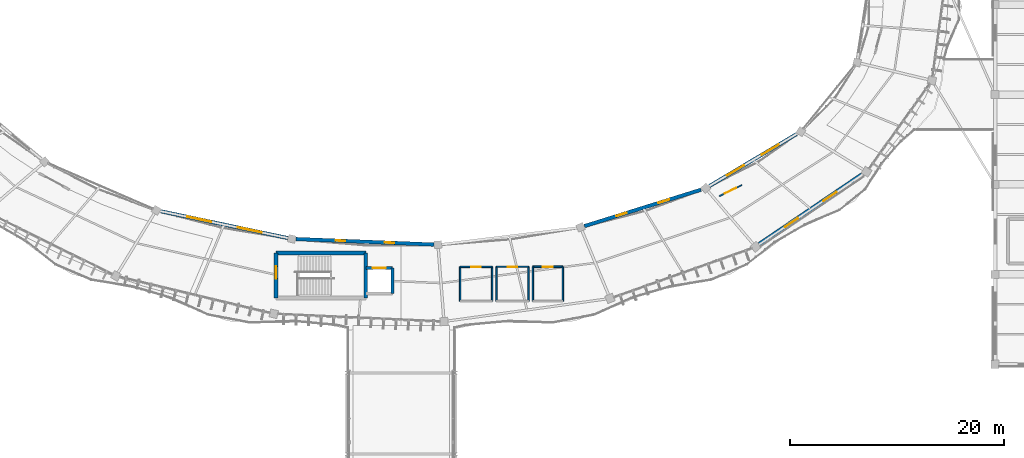
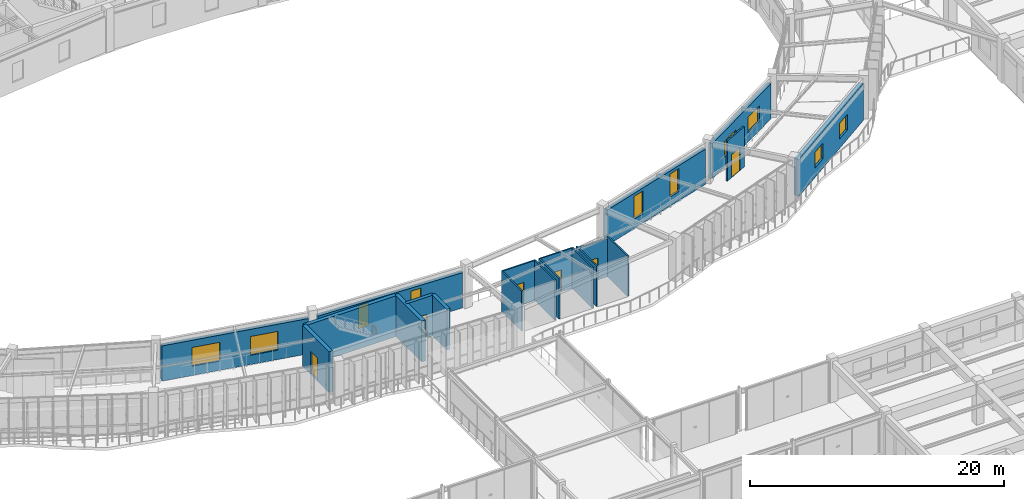
# One storey, part 124 of 152: 20 walls, 10 windows, 6 doors, 16 openings.
"""IFC4 building model written with IfcOpenShell, lengths in metres."""

from ifc_helpers import new_model, si_unit, direction, frame, frame_2d, origin, place, context, subcontext, project, spatial, rectangle, extrude, material, layer, layer_set, type_object, element, fill, save


model = new_model("IFC4")

# Units and contexts
model_context = context("Model", 3, precision=1e-05, world=origin(), true_north=direction((0.0, 1.0)))
body_context = subcontext(model_context, "Body", "Model", "MODEL_VIEW")
ifc_project = project(units=[si_unit("LENGTHUNIT", "METRE"), si_unit("AREAUNIT", "SQUARE_METRE"), si_unit("VOLUMEUNIT", "CUBIC_METRE"), si_unit("PLANEANGLEUNIT", "RADIAN"), si_unit("MASSUNIT", "GRAM", prefix="KILO"), si_unit("THERMODYNAMICTEMPERATUREUNIT", "KELVIN"), si_unit("POWERUNIT", "WATT")], contexts=[model_context])

# Site, building, storey
site_placement = place(None, origin())
site = spatial("IfcSite", under=ifc_project, at=site_placement, CompositionType="ELEMENT")
building_placement = place(site_placement, origin())
building = spatial("IfcBuilding", under=site, at=building_placement, Name="Darbajah Civic Hall", CompositionType="ELEMENT")
storey_placement = place(building_placement, frame((0.0, 0.0, 5.39990234375)))
storey = spatial("IfcBuildingStorey", under=building, at=storey_placement, Name="L01", CompositionType="ELEMENT", Elevation=5.39990234375)

# Wall, opening, door
ifc_material_1 = material(Name="Concrete C45/55", Category="concrete")
ifc_layer_1 = layer(ifc_material_1, 0.300048828125, Name="Concrete C45/55")
ifc_layer_set_1 = layer_set([ifc_layer_1], Name="Concrete C45/55")
wall_type_1 = type_object("IfcWallType", Name="Core Shear Wall 300mm", PredefinedType="SHEAR", material=ifc_layer_set_1)
wall_1_placement = place(storey_placement, frame((88.300048828125, 65.39990234375, 0.0), z_axis=(0.0, 0.0, 1.0), x_axis=(-1.0, 0.0, 0.0)))
wall_1 = element("IfcWall", 1, at=wall_1_placement, inside=storey, type_object=wall_type_1, Name="L01 lift PL1 shaft wall N", PredefinedType="SHEAR", context=body_context, shape_type="SweptSolid", body=[
    extrude(rectangle(XDim=2.5, YDim=0.300048828125, at=frame_2d((1.25, 0.0))), origin(), (0.0, 0.0, 1.0), 3.920166015625),
])
opening_1_placement = place(wall_1_placement, frame((0.64990234375, 0.0, 0.0)))
opening_1 = element("IfcOpeningElement", 2, at=opening_1_placement, cuts=wall_1, Name="Opening LD-0051", PredefinedType="OPENING", context=body_context, shape_type="SweptSolid", body=[
    extrude(rectangle(XDim=1.199951171875, YDim=2.25, at=frame_2d((0.60009765625, 1.125))), frame((0.0, 0.159912109375, 0.0), z_axis=(0.0, -1.0, 0.0), x_axis=(1.0, 0.0, 0.0)), (0.0, 0.0, 1.0), 0.320068359375),
])
ifc_material_2 = material(Name="Stainless Lift Landing Door")
door_type_1 = type_object("IfcDoorType", Name="Lift Landing Door 1200x2250", OperationType="SLIDING_TO_LEFT", PredefinedType="DOOR", material=ifc_material_2)
door_1_placement = place(opening_1_placement, origin())
door_1 = element("IfcDoor", 3, at=door_1_placement, inside=storey, type_object=door_type_1, Name="L01 lift PL1 landing door LD-0051", OperationType="SLIDING_TO_LEFT", OverallHeight=2.25, OverallWidth=1.199951171875, PredefinedType="DOOR", context=body_context, shape_type="SweptSolid", body=[
    extrude(rectangle(XDim=1.199951171875, YDim=2.25, at=frame_2d((0.60009765625, 1.125))), frame((0.0, 0.02490234375, 0.0), z_axis=(0.0, -1.0, 0.0), x_axis=(1.0, 0.0, 0.0)), (0.0, 0.0, 1.0), 0.050048828125),
])
fill(opening_1, door_1)

# Walls
wall_2_placement = place(storey_placement, frame((88.300048828125, 63.0, 0.0), z_axis=(0.0, 0.0, 1.0), x_axis=(0.0, 1.0, 0.0)))
element("IfcWall", 4, at=wall_2_placement, inside=storey, type_object=wall_type_1, Name="L01 lift PL1 shaft wall E", PredefinedType="SHEAR", context=body_context, shape_type="SweptSolid", body=[
    extrude(rectangle(XDim=2.39990234375, YDim=0.300048828125, at=frame_2d((1.199951171875, 0.0))), origin(), (0.0, 0.0, 1.0), 3.920166015625),
])
ifc_material_3 = material(Name="Concrete C50/60", Category="concrete")
ifc_layer_2 = layer(ifc_material_3, 0.35009765625, Name="Concrete C50/60")
ifc_layer_set_2 = layer_set([ifc_layer_2], Name="Concrete C50/60")
wall_type_2 = type_object("IfcWallType", Name="Core Shear Wall 350mm", PredefinedType="SHEAR", material=ifc_layer_set_2)
wall_3_placement = place(storey_placement, frame((85.800048828125, 62.60009765625, 0.0), z_axis=(0.0, 0.0, 1.0), x_axis=(0.0, 1.0, 0.0)))
element("IfcWall", 5, at=wall_3_placement, inside=storey, type_object=wall_type_2, Name="L01 core C03 shear wall E", PredefinedType="SHEAR", context=body_context, shape_type="SweptSolid", body=[
    extrude(rectangle(XDim=4.199951171875, YDim=0.35009765625, at=frame_2d((2.10009765625, 0.0))), origin(), (0.0, 0.0, 1.0), 3.920166015625),
])
wall_4_placement = place(storey_placement, frame((85.800048828125, 66.800048828125, 0.0), z_axis=(0.0, 0.0, 1.0), x_axis=(-1.0, 0.0, 0.0)))
element("IfcWall", 6, at=wall_4_placement, inside=storey, type_object=wall_type_2, Name="L01 core C03 shear wall N", PredefinedType="SHEAR", context=body_context, shape_type="SweptSolid", body=[
    extrude(rectangle(XDim=8.400146484375, YDim=0.35009765625, at=frame_2d((4.2001953125, 0.0))), origin(), (0.0, 0.0, 1.0), 3.920166015625),
])

# Wall, opening, door
wall_5_placement = place(storey_placement, frame((77.39990234375, 66.800048828125, 0.0), z_axis=(0.0, 0.0, 1.0), x_axis=(0.0, -1.0, 0.0)))
wall_5 = element("IfcWall", 7, at=wall_5_placement, inside=storey, type_object=wall_type_2, Name="L01 core C03 shear wall W", PredefinedType="SHEAR", context=body_context, shape_type="SweptSolid", body=[
    extrude(rectangle(XDim=4.199951171875, YDim=0.35009765625, at=frame_2d((2.10009765625, 0.0))), origin(), (0.0, 0.0, 1.0), 3.920166015625),
])
opening_2_placement = place(wall_5_placement, frame((1.25, 0.0, 0.0)))
opening_2 = element("IfcOpeningElement", 8, at=opening_2_placement, cuts=wall_5, Name="Opening SD-0044", PredefinedType="OPENING", context=body_context, shape_type="SweptSolid", body=[
    extrude(rectangle(XDim=1.14990234375, YDim=2.199951171875, at=frame_2d((0.574951171875, 1.10009765625))), frame((0.0, 0.18505859375, 0.0), z_axis=(0.0, -1.0, 0.0), x_axis=(1.0, 0.0, 0.0)), (0.0, 0.0, 1.0), 0.3701171875),
])
ifc_material_4 = material(Name="Steel Rated Core Door", Category="steel")
door_type_2 = type_object("IfcDoorType", Name="Interior Door 1150x2200", OperationType="NOTDEFINED", PredefinedType="DOOR", material=ifc_material_4)
door_2_placement = place(opening_2_placement, origin())
door_2 = element("IfcDoor", 9, at=door_2_placement, inside=storey, type_object=door_type_2, Name="L01 stair ST03 fire door SD-0044", OperationType="SINGLE_SWING_LEFT", OverallHeight=2.199951171875, OverallWidth=1.14990234375, PredefinedType="DOOR", context=body_context, shape_type="SweptSolid", body=[
    extrude(rectangle(XDim=1.14990234375, YDim=2.199951171875, at=frame_2d((0.574951171875, 1.10009765625))), frame((0.0, 0.02490234375, 0.0), z_axis=(0.0, -1.0, 0.0), x_axis=(1.0, 0.0, 0.0)), (0.0, 0.0, 1.0), 0.050048828125),
])
fill(opening_2, door_2)

# Wall, openings, windows
ifc_material_5 = material(Name="Qatari Desert Limestone Ashlar", Category="masonry")
ifc_layer_3 = layer(ifc_material_5, 0.340087890625, Name="Qatari Desert Limestone Ashlar")
ifc_layer_set_3 = layer_set([ifc_layer_3], Name="Qatari Desert Limestone Ashlar")
wall_type_3 = type_object("IfcWallType", Name="Exterior Wall 340mm", PredefinedType="SOLIDWALL", material=ifc_layer_set_3)
wall_6_placement = place(storey_placement, frame((66.654052734375, 70.693359375, 0.0), z_axis=(0.0, 0.0, 1.0), x_axis=(0.978481812887, -0.20633308472, 0.0)))
wall_6 = element("IfcWall", 10, at=wall_6_placement, inside=storey, type_object=wall_type_3, Name="L01 exterior wall EW-340", PredefinedType="SOLIDWALL", context=body_context, shape_type="SweptSolid", body=[
    extrude(rectangle(XDim=12.128173828125, YDim=0.340087890625, at=frame_2d((6.06396484375, 0.0))), origin(), (0.0, 0.0, 1.0), 3.386962890625),
])
opening_3_placement = place(wall_6_placement, frame((2.509521484375, 0.0, 0.89990234375)))
opening_3 = element("IfcOpeningElement", 11, at=opening_3_placement, cuts=wall_6, Name="Opening WN-22", PredefinedType="OPENING", context=body_context, shape_type="SweptSolid", body=[
    extrude(rectangle(XDim=2.300048828125, YDim=1.800048828125, at=frame_2d((1.14990234375, 0.89990234375))), frame((0.0, 0.179931640625, 0.0), z_axis=(0.0, -1.0, 0.0), x_axis=(1.0, 0.0, 0.0)), (0.0, 0.0, 1.0), 0.360107421875),
])
opening_4_placement = place(wall_6_placement, frame((7.31884765625, 0.0, 0.89990234375)))
opening_4 = element("IfcOpeningElement", 12, at=opening_4_placement, cuts=wall_6, Name="Opening WN-22", PredefinedType="OPENING", context=body_context, shape_type="SweptSolid", body=[
    extrude(rectangle(XDim=2.300048828125, YDim=1.800048828125, at=frame_2d((1.14990234375, 0.89990234375))), frame((0.0, 0.179931640625, 0.0), z_axis=(0.0, -1.0, 0.0), x_axis=(1.0, 0.0, 0.0)), (0.0, 0.0, 1.0), 0.360107421875),
])
ifc_material_6 = material(Name="Low-E Solar Control Double Glazing", Category="glass")
window_type_1 = type_object("IfcWindowType", Name="Facade Window 2300x1800", PartitioningType="DOUBLE_PANEL_VERTICAL", PredefinedType="WINDOW", material=ifc_material_6)
window_1_placement = place(opening_3_placement, origin())
window_1 = element("IfcWindow", 13, at=window_1_placement, inside=storey, type_object=window_type_1, Name="L01 facade window WN-22", OverallHeight=1.800048828125, OverallWidth=2.300048828125, PartitioningType="SINGLE_PANEL", PredefinedType="WINDOW", context=body_context, shape_type="SweptSolid", body=[
    extrude(rectangle(XDim=2.300048828125, YDim=1.800048828125, at=frame_2d((1.14990234375, 0.89990234375))), frame((0.0, 0.030029296875, 0.0), z_axis=(0.0, -1.0, 0.0), x_axis=(1.0, 0.0, 0.0)), (0.0, 0.0, 1.0), 0.06005859375),
])
fill(opening_3, window_1)
window_2_placement = place(opening_4_placement, origin())
window_2 = element("IfcWindow", 14, at=window_2_placement, inside=storey, type_object=window_type_1, Name="L01 facade window WN-22", OverallHeight=1.800048828125, OverallWidth=2.300048828125, PartitioningType="SINGLE_PANEL", PredefinedType="WINDOW", context=body_context, shape_type="SweptSolid", body=[
    extrude(rectangle(XDim=2.300048828125, YDim=1.800048828125, at=frame_2d((1.14990234375, 0.89990234375))), frame((0.0, 0.030029296875, 0.0), z_axis=(0.0, -1.0, 0.0), x_axis=(1.0, 0.0, 0.0)), (0.0, 0.0, 1.0), 0.06005859375),
])
fill(opening_4, window_2)

wall_7_placement = place(storey_placement, frame((79.2880859375, 68.099609375, 0.0), z_axis=(0.0, 0.0, 1.0), x_axis=(0.999198380478, -0.040032442472, 0.0)))
wall_7 = element("IfcWall", 15, at=wall_7_placement, inside=storey, type_object=wall_type_3, Name="L01 exterior wall EW-340", PredefinedType="SOLIDWALL", context=body_context, shape_type="SweptSolid", body=[
    extrude(rectangle(XDim=12.867919921875, YDim=0.340087890625, at=frame_2d((6.43408203125, 0.0))), origin(), (0.0, 0.0, 1.0), 3.386962890625),
])
opening_5_placement = place(wall_7_placement, frame((3.689208984375, 0.0, 0.89990234375)))
opening_5 = element("IfcOpeningElement", 16, at=opening_5_placement, cuts=wall_7, Name="Opening WN-23", PredefinedType="OPENING", context=body_context, shape_type="SweptSolid", body=[
    extrude(rectangle(XDim=0.89990234375, YDim=2.199951171875, at=frame_2d((0.449951171875, 1.10009765625))), frame((0.0, 0.179931640625, 0.0), z_axis=(0.0, -1.0, 0.0), x_axis=(1.0, 0.0, 0.0)), (0.0, 0.0, 1.0), 0.360107421875),
])
opening_6_placement = place(wall_7_placement, frame((8.27880859375, 0.0, 0.89990234375)))
opening_6 = element("IfcOpeningElement", 17, at=opening_6_placement, cuts=wall_7, Name="Opening WN-23", PredefinedType="OPENING", context=body_context, shape_type="SweptSolid", body=[
    extrude(rectangle(XDim=0.89990234375, YDim=2.199951171875, at=frame_2d((0.449951171875, 1.10009765625))), frame((0.0, 0.179931640625, 0.0), z_axis=(0.0, -1.0, 0.0), x_axis=(1.0, 0.0, 0.0)), (0.0, 0.0, 1.0), 0.360107421875),
])
window_type_2 = type_object("IfcWindowType", Name="Facade Window 900x2200", PartitioningType="SINGLE_PANEL", PredefinedType="WINDOW", material=ifc_material_6)
window_3_placement = place(opening_5_placement, origin())
window_3 = element("IfcWindow", 18, at=window_3_placement, inside=storey, type_object=window_type_2, Name="L01 facade window WN-23", OverallHeight=2.199951171875, OverallWidth=0.89990234375, PartitioningType="SINGLE_PANEL", PredefinedType="WINDOW", context=body_context, shape_type="SweptSolid", body=[
    extrude(rectangle(XDim=0.89990234375, YDim=2.199951171875, at=frame_2d((0.449951171875, 1.10009765625))), frame((0.0, 0.030029296875, 0.0), z_axis=(0.0, -1.0, 0.0), x_axis=(1.0, 0.0, 0.0)), (0.0, 0.0, 1.0), 0.06005859375),
])
fill(opening_5, window_3)
window_4_placement = place(opening_6_placement, origin())
window_4 = element("IfcWindow", 19, at=window_4_placement, inside=storey, type_object=window_type_2, Name="L01 facade window WN-23", OverallHeight=2.199951171875, OverallWidth=0.89990234375, PartitioningType="SINGLE_PANEL", PredefinedType="WINDOW", context=body_context, shape_type="SweptSolid", body=[
    extrude(rectangle(XDim=0.89990234375, YDim=2.199951171875, at=frame_2d((0.449951171875, 1.10009765625))), frame((0.0, 0.030029296875, 0.0), z_axis=(0.0, -1.0, 0.0), x_axis=(1.0, 0.0, 0.0)), (0.0, 0.0, 1.0), 0.06005859375),
])
fill(opening_6, window_4)

wall_8_placement = place(storey_placement, frame((106.226318359375, 69.311279296875, 0.0), z_axis=(0.0, 0.0, 1.0), x_axis=(0.954614061829, 0.297845585763, 0.0)))
wall_8 = element("IfcWall", 20, at=wall_8_placement, inside=storey, type_object=wall_type_3, Name="L01 exterior wall EW-340", PredefinedType="SOLIDWALL", context=body_context, shape_type="SweptSolid", body=[
    extrude(rectangle(XDim=11.396240234375, YDim=0.340087890625, at=frame_2d((5.6982421875, 0.0))), origin(), (0.0, 0.0, 1.0), 3.386962890625),
])
opening_7_placement = place(wall_8_placement, frame((3.0986328125, 0.0, 0.89990234375)))
opening_7 = element("IfcOpeningElement", 21, at=opening_7_placement, cuts=wall_8, Name="Opening WN-24", PredefinedType="OPENING", context=body_context, shape_type="SweptSolid", body=[
    extrude(rectangle(XDim=1.050048828125, YDim=2.199951171875, at=frame_2d((0.52490234375, 1.10009765625))), frame((0.0, 0.179931640625, 0.0), z_axis=(0.0, -1.0, 0.0), x_axis=(1.0, 0.0, 0.0)), (0.0, 0.0, 1.0), 0.360107421875),
])
opening_8_placement = place(wall_8_placement, frame((7.247314453125, 0.0, 0.89990234375)))
opening_8 = element("IfcOpeningElement", 22, at=opening_8_placement, cuts=wall_8, Name="Opening WN-24", PredefinedType="OPENING", context=body_context, shape_type="SweptSolid", body=[
    extrude(rectangle(XDim=1.050048828125, YDim=2.199951171875, at=frame_2d((0.52490234375, 1.10009765625))), frame((0.0, 0.179931640625, 0.0), z_axis=(0.0, -1.0, 0.0), x_axis=(1.0, 0.0, 0.0)), (0.0, 0.0, 1.0), 0.360107421875),
])
window_type_3 = type_object("IfcWindowType", Name="Facade Window 1050x2200", PartitioningType="SINGLE_PANEL", PredefinedType="WINDOW", material=ifc_material_6)
window_5_placement = place(opening_7_placement, origin())
window_5 = element("IfcWindow", 23, at=window_5_placement, inside=storey, type_object=window_type_3, Name="L01 facade window WN-24", OverallHeight=2.199951171875, OverallWidth=1.050048828125, PartitioningType="SINGLE_PANEL", PredefinedType="WINDOW", context=body_context, shape_type="SweptSolid", body=[
    extrude(rectangle(XDim=1.050048828125, YDim=2.199951171875, at=frame_2d((0.52490234375, 1.10009765625))), frame((0.0, 0.030029296875, 0.0), z_axis=(0.0, -1.0, 0.0), x_axis=(1.0, 0.0, 0.0)), (0.0, 0.0, 1.0), 0.06005859375),
])
fill(opening_7, window_5)
window_6_placement = place(opening_8_placement, origin())
window_6 = element("IfcWindow", 24, at=window_6_placement, inside=storey, type_object=window_type_3, Name="L01 facade window WN-24", OverallHeight=2.199951171875, OverallWidth=1.050048828125, PartitioningType="SINGLE_PANEL", PredefinedType="WINDOW", context=body_context, shape_type="SweptSolid", body=[
    extrude(rectangle(XDim=1.050048828125, YDim=2.199951171875, at=frame_2d((0.52490234375, 1.10009765625))), frame((0.0, 0.030029296875, 0.0), z_axis=(0.0, -1.0, 0.0), x_axis=(1.0, 0.0, 0.0)), (0.0, 0.0, 1.0), 0.06005859375),
])
fill(opening_8, window_6)

wall_9_placement = place(storey_placement, frame((117.89453125, 73.05078125, 0.0), z_axis=(0.0, 0.0, 1.0), x_axis=(0.858955033432, 0.512051023378, 0.0)))
wall_9 = element("IfcWall", 25, at=wall_9_placement, inside=storey, type_object=wall_type_3, Name="L01 exterior wall EW-340", PredefinedType="SOLIDWALL", context=body_context, shape_type="SweptSolid", body=[
    extrude(rectangle(XDim=9.48046875, YDim=0.340087890625, at=frame_2d((4.740234375, 0.0))), origin(), (0.0, 0.0, 1.0), 3.386962890625),
])
opening_9_placement = place(wall_9_placement, frame((1.927001953125, 0.0, 0.89990234375)))
opening_9 = element("IfcOpeningElement", 26, at=opening_9_placement, cuts=wall_9, Name="Opening WN-26", PredefinedType="OPENING", context=body_context, shape_type="SweptSolid", body=[
    extrude(rectangle(XDim=1.85009765625, YDim=1.5, at=frame_2d((0.925048828125, 0.75))), frame((0.0, 0.179931640625, 0.0), z_axis=(0.0, -1.0, 0.0), x_axis=(1.0, 0.0, 0.0)), (0.0, 0.0, 1.0), 0.360107421875),
])
opening_10_placement = place(wall_9_placement, frame((5.70361328125, 0.0, 0.89990234375)))
opening_10 = element("IfcOpeningElement", 27, at=opening_10_placement, cuts=wall_9, Name="Opening WN-26", PredefinedType="OPENING", context=body_context, shape_type="SweptSolid", body=[
    extrude(rectangle(XDim=1.85009765625, YDim=1.5, at=frame_2d((0.925048828125, 0.75))), frame((0.0, 0.179931640625, 0.0), z_axis=(0.0, -1.0, 0.0), x_axis=(1.0, 0.0, 0.0)), (0.0, 0.0, 1.0), 0.360107421875),
])
window_type_4 = type_object("IfcWindowType", Name="Facade Window 1850x1500", PartitioningType="DOUBLE_PANEL_VERTICAL", PredefinedType="WINDOW", material=ifc_material_6)
window_7_placement = place(opening_9_placement, origin())
window_7 = element("IfcWindow", 28, at=window_7_placement, inside=storey, type_object=window_type_4, Name="L01 facade window WN-26", OverallHeight=1.5, OverallWidth=1.85009765625, PartitioningType="SINGLE_PANEL", PredefinedType="WINDOW", context=body_context, shape_type="SweptSolid", body=[
    extrude(rectangle(XDim=1.85009765625, YDim=1.5, at=frame_2d((0.925048828125, 0.75))), frame((0.0, 0.030029296875, 0.0), z_axis=(0.0, -1.0, 0.0), x_axis=(1.0, 0.0, 0.0)), (0.0, 0.0, 1.0), 0.06005859375),
])
fill(opening_9, window_7)
window_8_placement = place(opening_10_placement, origin())
window_8 = element("IfcWindow", 29, at=window_8_placement, inside=storey, type_object=window_type_4, Name="L01 facade window WN-26", OverallHeight=1.5, OverallWidth=1.85009765625, PartitioningType="SINGLE_PANEL", PredefinedType="WINDOW", context=body_context, shape_type="SweptSolid", body=[
    extrude(rectangle(XDim=1.85009765625, YDim=1.5, at=frame_2d((0.925048828125, 0.75))), frame((0.0, 0.030029296875, 0.0), z_axis=(0.0, -1.0, 0.0), x_axis=(1.0, 0.0, 0.0)), (0.0, 0.0, 1.0), 0.06005859375),
])
fill(opening_10, window_8)

ifc_layer_4 = layer(ifc_material_5, 0.419921875, Name="Qatari Desert Limestone Ashlar")
ifc_layer_set_4 = layer_set([ifc_layer_4], Name="Qatari Desert Limestone Ashlar")
wall_type_4 = type_object("IfcWallType", Name="Exterior Wall 420mm", PredefinedType="SOLIDWALL", material=ifc_layer_set_4)
wall_10_placement = place(storey_placement, frame((122.566650390625, 67.6015625, 0.0), z_axis=(0.0, 0.0, 1.0), x_axis=(0.82798425242, 0.560751351085, 0.0)))
wall_10 = element("IfcWall", 30, at=wall_10_placement, inside=storey, type_object=wall_type_4, Name="L01 exterior wall EW-420", PredefinedType="SOLIDWALL", context=body_context, shape_type="SweptSolid", body=[
    extrude(rectangle(XDim=11.600830078125, YDim=0.419921875, at=frame_2d((5.80029296875, 0.0))), origin(), (0.0, 0.0, 1.0), 3.52001953125),
])
opening_11_placement = place(wall_10_placement, frame((2.900390625, 0.0, 0.89990234375)))
opening_11 = element("IfcOpeningElement", 31, at=opening_11_placement, cuts=wall_10, Name="Opening WN-25", PredefinedType="OPENING", context=body_context, shape_type="SweptSolid", body=[
    extrude(rectangle(XDim=1.449951171875, YDim=1.5, at=frame_2d((0.72509765625, 0.75))), frame((0.0, 0.219970703125, 0.0), z_axis=(0.0, -1.0, 0.0), x_axis=(1.0, 0.0, 0.0)), (0.0, 0.0, 1.0), 0.43994140625),
])
opening_12_placement = place(wall_10_placement, frame((7.25048828125, 0.0, 0.89990234375)))
opening_12 = element("IfcOpeningElement", 32, at=opening_12_placement, cuts=wall_10, Name="Opening WN-25", PredefinedType="OPENING", context=body_context, shape_type="SweptSolid", body=[
    extrude(rectangle(XDim=1.449951171875, YDim=1.5, at=frame_2d((0.72509765625, 0.75))), frame((0.0, 0.219970703125, 0.0), z_axis=(0.0, -1.0, 0.0), x_axis=(1.0, 0.0, 0.0)), (0.0, 0.0, 1.0), 0.43994140625),
])
window_type_5 = type_object("IfcWindowType", Name="Facade Window 1450x1500", PartitioningType="SINGLE_PANEL", PredefinedType="WINDOW", material=ifc_material_6)
window_9_placement = place(opening_11_placement, origin())
window_9 = element("IfcWindow", 33, at=window_9_placement, inside=storey, type_object=window_type_5, Name="L01 facade window WN-25", OverallHeight=1.5, OverallWidth=1.449951171875, PartitioningType="SINGLE_PANEL", PredefinedType="WINDOW", context=body_context, shape_type="SweptSolid", body=[
    extrude(rectangle(XDim=1.449951171875, YDim=1.5, at=frame_2d((0.72509765625, 0.75))), frame((0.0, 0.030029296875, 0.0), z_axis=(0.0, -1.0, 0.0), x_axis=(1.0, 0.0, 0.0)), (0.0, 0.0, 1.0), 0.06005859375),
])
fill(opening_11, window_9)
window_10_placement = place(opening_12_placement, origin())
window_10 = element("IfcWindow", 34, at=window_10_placement, inside=storey, type_object=window_type_5, Name="L01 facade window WN-25", OverallHeight=1.5, OverallWidth=1.449951171875, PartitioningType="SINGLE_PANEL", PredefinedType="WINDOW", context=body_context, shape_type="SweptSolid", body=[
    extrude(rectangle(XDim=1.449951171875, YDim=1.5, at=frame_2d((0.72509765625, 0.75))), frame((0.0, 0.030029296875, 0.0), z_axis=(0.0, -1.0, 0.0), x_axis=(1.0, 0.0, 0.0)), (0.0, 0.0, 1.0), 0.06005859375),
])
fill(opening_12, window_10)

# Wall, opening, door
ifc_material_7 = material(Name="Acoustic Gypsum Partition")
ifc_layer_5 = layer(ifc_material_7, 0.114990234375, Name="Acoustic Gypsum Partition")
ifc_layer_set_5 = layer_set([ifc_layer_5], Name="Acoustic Gypsum Partition")
wall_type_5 = type_object("IfcWallType", Name="Interior Partition 115mm", PredefinedType="PARTITIONING", material=ifc_layer_set_5)
wall_11_placement = place(storey_placement, frame((98.0, 65.5, 0.0), z_axis=(0.0, 0.0, 1.0), x_axis=(1.0, 0.0, 0.0)))
wall_11 = element("IfcWall", 35, at=wall_11_placement, inside=storey, type_object=wall_type_5, Name="L01 interior partition L01-WCF", PredefinedType="PARTITIONING", context=body_context, shape_type="SweptSolid", body=[
    extrude(rectangle(XDim=3.0, YDim=0.114990234375, at=frame_2d((1.5, 0.0))), origin(), (0.0, 0.0, 1.0), 3.860107421875),
])
opening_13_placement = place(wall_11_placement, frame((1.050048828125, 0.0, 0.0)))
opening_13 = element("IfcOpeningElement", 36, at=opening_13_placement, cuts=wall_11, Name="Opening D-0181", PredefinedType="OPENING", context=body_context, shape_type="SweptSolid", body=[
    extrude(rectangle(XDim=0.89990234375, YDim=2.10009765625, at=frame_2d((0.449951171875, 1.050048828125))), frame((0.0, 0.0673828125, 0.0), z_axis=(0.0, -1.0, 0.0), x_axis=(1.0, 0.0, 0.0)), (0.0, 0.0, 1.0), 0.135009765625),
])
ifc_material_8 = material(Name="Oak Washroom Door")
door_type_3 = type_object("IfcDoorType", Name="Interior Door 900x2100", OperationType="NOTDEFINED", PredefinedType="DOOR", material=ifc_material_8)
door_3_placement = place(opening_13_placement, origin())
door_3 = element("IfcDoor", 37, at=door_3_placement, inside=storey, type_object=door_type_3, Name="L01 L01-WCF door D-0181", OperationType="SINGLE_SWING_RIGHT", OverallHeight=2.10009765625, OverallWidth=0.89990234375, PredefinedType="DOOR", context=body_context, shape_type="SweptSolid", body=[
    extrude(rectangle(XDim=0.89990234375, YDim=2.10009765625, at=frame_2d((0.449951171875, 1.050048828125))), frame((0.0, 0.02490234375, 0.0), z_axis=(0.0, -1.0, 0.0), x_axis=(1.0, 0.0, 0.0)), (0.0, 0.0, 1.0), 0.050048828125),
])
fill(opening_13, door_3)

ifc_material_9 = material(Name="Gypsum Plasterboard on Steel Stud", Category="steel")
ifc_layer_6 = layer(ifc_material_9, 0.135009765625, Name="Gypsum Plasterboard on Steel Stud")
ifc_layer_set_6 = layer_set([ifc_layer_6], Name="Gypsum Plasterboard on Steel Stud")
wall_type_6 = type_object("IfcWallType", Name="Interior Partition 135mm", PredefinedType="PARTITIONING", material=ifc_layer_set_6)
wall_12_placement = place(storey_placement, frame((120.955078125, 73.147705078125, 0.0), z_axis=(0.0, 0.0, 1.0), x_axis=(-0.898125959781, -0.43973828622, 0.0)))
wall_12 = element("IfcWall", 38, at=wall_12_placement, inside=storey, type_object=wall_type_6, Name="L01 interior partition L01-V1-01", PredefinedType="PARTITIONING", context=body_context, shape_type="SweptSolid", body=[
    extrude(rectangle(XDim=2.395751953125, YDim=0.135009765625, at=frame_2d((1.19775390625, 0.0))), origin(), (0.0, 0.0, 1.0), 3.860107421875),
])
opening_14_placement = place(wall_12_placement, frame((0.597900390625, 0.0, 0.0)))
opening_14 = element("IfcOpeningElement", 39, at=opening_14_placement, cuts=wall_12, Name="Opening D-0174", PredefinedType="OPENING", context=body_context, shape_type="SweptSolid", body=[
    extrude(rectangle(XDim=1.199951171875, YDim=2.199951171875, at=frame_2d((0.60009765625, 1.10009765625))), frame((0.0, 0.077392578125, 0.0), z_axis=(0.0, -1.0, 0.0), x_axis=(1.0, 0.0, 0.0)), (0.0, 0.0, 1.0), 0.155029296875),
])
ifc_material_10 = material(Name="Painted Hardwood Fire Door", Category="wood")
door_type_4 = type_object("IfcDoorType", Name="Interior Door 1200x2200", OperationType="NOTDEFINED", PredefinedType="DOOR", material=ifc_material_10)
door_4_placement = place(opening_14_placement, origin())
door_4 = element("IfcDoor", 40, at=door_4_placement, inside=storey, type_object=door_type_4, Name="L01 L01-V1-01 door D-0174", OperationType="SINGLE_SWING_LEFT", OverallHeight=2.199951171875, OverallWidth=1.199951171875, PredefinedType="DOOR", context=body_context, shape_type="SweptSolid", body=[
    extrude(rectangle(XDim=1.199951171875, YDim=2.199951171875, at=frame_2d((0.60009765625, 1.10009765625))), frame((0.0, 0.02490234375, 0.0), z_axis=(0.0, -1.0, 0.0), x_axis=(1.0, 0.0, 0.0)), (0.0, 0.0, 1.0), 0.050048828125),
])
fill(opening_14, door_4)

# Walls
for number, where, z_axis, x_axis, name in (
    (41, (97.60009765625, 62.300048828125, 0.0), (0.0, 0.0, 1.0), (0.0, 1.0, 0.0), "L01 restroom enclosure wall L01-WCM E"),
    (42, (94.60009765625, 62.300048828125, 0.0), (0.0, 0.0, 1.0), (0.0, 1.0, 0.0), "L01 restroom enclosure wall L01-WCM W"),
):
    element("IfcWall", number, at=place(storey_placement, frame(where, z_axis=z_axis, x_axis=x_axis)), inside=storey, type_object=wall_type_6, Name=name, PredefinedType="PARTITIONING", context=body_context, shape_type="SweptSolid", body=[
        extrude(rectangle(XDim=3.199951171875, YDim=0.135009765625, at=frame_2d((1.60009765625, 0.0))), origin(), (0.0, 0.0, 1.0), 3.860107421875),
    ])

# Wall, opening, door
wall_13_placement = place(storey_placement, frame((94.60009765625, 65.5, 0.0), z_axis=(0.0, 0.0, 1.0), x_axis=(1.0, 0.0, 0.0)))
wall_13 = element("IfcWall", 43, at=wall_13_placement, inside=storey, type_object=wall_type_6, Name="L01 interior partition L01-WCM", PredefinedType="PARTITIONING", context=body_context, shape_type="SweptSolid", body=[
    extrude(rectangle(XDim=3.0, YDim=0.135009765625, at=frame_2d((1.5, 0.0))), origin(), (0.0, 0.0, 1.0), 3.860107421875),
])
opening_15_placement = place(wall_13_placement, frame((1.050048828125, 0.0, 0.0)))
opening_15 = element("IfcOpeningElement", 44, at=opening_15_placement, cuts=wall_13, Name="Opening D-0180", PredefinedType="OPENING", context=body_context, shape_type="SweptSolid", body=[
    extrude(rectangle(XDim=0.89990234375, YDim=2.10009765625, at=frame_2d((0.449951171875, 1.050048828125))), frame((0.0, 0.077392578125, 0.0), z_axis=(0.0, -1.0, 0.0), x_axis=(1.0, 0.0, 0.0)), (0.0, 0.0, 1.0), 0.155029296875),
])
door_5_placement = place(opening_15_placement, origin())
door_5 = element("IfcDoor", 45, at=door_5_placement, inside=storey, type_object=door_type_3, Name="L01 L01-WCM door D-0180", OperationType="SINGLE_SWING_LEFT", OverallHeight=2.10009765625, OverallWidth=0.89990234375, PredefinedType="DOOR", context=body_context, shape_type="SweptSolid", body=[
    extrude(rectangle(XDim=0.89990234375, YDim=2.10009765625, at=frame_2d((0.449951171875, 1.050048828125))), frame((0.0, 0.02490234375, 0.0), z_axis=(0.0, -1.0, 0.0), x_axis=(1.0, 0.0, 0.0)), (0.0, 0.0, 1.0), 0.050048828125),
])
fill(opening_15, door_5)

# Walls
for number, where, z_axis, x_axis, name in (
    (46, (101.0, 62.300048828125, 0.0), (0.0, 0.0, 1.0), (0.0, 1.0, 0.0), "L01 restroom enclosure wall L01-WCF E"),
    (47, (98.0, 62.300048828125, 0.0), (0.0, 0.0, 1.0), (0.0, 1.0, 0.0), "L01 restroom enclosure wall L01-WCF W"),
    (48, (104.199951171875, 62.300048828125, 0.0), (0.0, 0.0, 1.0), (0.0, 1.0, 0.0), "L01 restroom enclosure wall L01-WCA E"),
    (49, (101.39990234375, 62.300048828125, 0.0), (0.0, 0.0, 1.0), (0.0, 1.0, 0.0), "L01 restroom enclosure wall L01-WCA W"),
):
    element("IfcWall", number, at=place(storey_placement, frame(where, z_axis=z_axis, x_axis=x_axis)), inside=storey, type_object=wall_type_6, Name=name, PredefinedType="PARTITIONING", context=body_context, shape_type="SweptSolid", body=[
        extrude(rectangle(XDim=3.199951171875, YDim=0.135009765625, at=frame_2d((1.60009765625, 0.0))), origin(), (0.0, 0.0, 1.0), 3.860107421875),
    ])

# Wall, opening, door
ifc_layer_7 = layer(ifc_material_9, 0.159912109375, Name="Gypsum Plasterboard on Steel Stud")
ifc_layer_set_7 = layer_set([ifc_layer_7], Name="Gypsum Plasterboard on Steel Stud")
wall_type_7 = type_object("IfcWallType", Name="Interior Partition 160mm", PredefinedType="PARTITIONING", material=ifc_layer_set_7)
wall_14_placement = place(storey_placement, frame((101.39990234375, 65.5, 0.0), z_axis=(0.0, 0.0, 1.0), x_axis=(1.0, 0.0, 0.0)))
wall_14 = element("IfcWall", 50, at=wall_14_placement, inside=storey, type_object=wall_type_7, Name="L01 interior partition L01-WCA", PredefinedType="PARTITIONING", context=body_context, shape_type="SweptSolid", body=[
    extrude(rectangle(XDim=2.800048828125, YDim=0.159912109375, at=frame_2d((1.39990234375, 0.0))), origin(), (0.0, 0.0, 1.0), 3.6640625),
])
opening_16_placement = place(wall_14_placement, frame((0.925048828125, 0.0, 0.0)))
opening_16 = element("IfcOpeningElement", 51, at=opening_16_placement, cuts=wall_14, Name="Opening D-0182", PredefinedType="OPENING", context=body_context, shape_type="SweptSolid", body=[
    extrude(rectangle(XDim=0.949951171875, YDim=2.10009765625, at=frame_2d((0.47509765625, 1.050048828125))), frame((0.0, 0.08984375, 0.0), z_axis=(0.0, -1.0, 0.0), x_axis=(1.0, 0.0, 0.0)), (0.0, 0.0, 1.0), 0.179931640625),
])
ifc_material_11 = material(Name="Accessible WC Door")
door_type_5 = type_object("IfcDoorType", Name="Interior Door 950x2100", OperationType="NOTDEFINED", PredefinedType="DOOR", material=ifc_material_11)
door_6_placement = place(opening_16_placement, origin())
door_6 = element("IfcDoor", 52, at=door_6_placement, inside=storey, type_object=door_type_5, Name="L01 L01-WCA door D-0182", OperationType="SINGLE_SWING_LEFT", OverallHeight=2.10009765625, OverallWidth=0.949951171875, PredefinedType="DOOR", context=body_context, shape_type="SweptSolid", body=[
    extrude(rectangle(XDim=0.949951171875, YDim=2.10009765625, at=frame_2d((0.47509765625, 1.050048828125))), frame((0.0, 0.02490234375, 0.0), z_axis=(0.0, -1.0, 0.0), x_axis=(1.0, 0.0, 0.0)), (0.0, 0.0, 1.0), 0.050048828125),
])
fill(opening_16, door_6)

save(model, "model.ifc")
